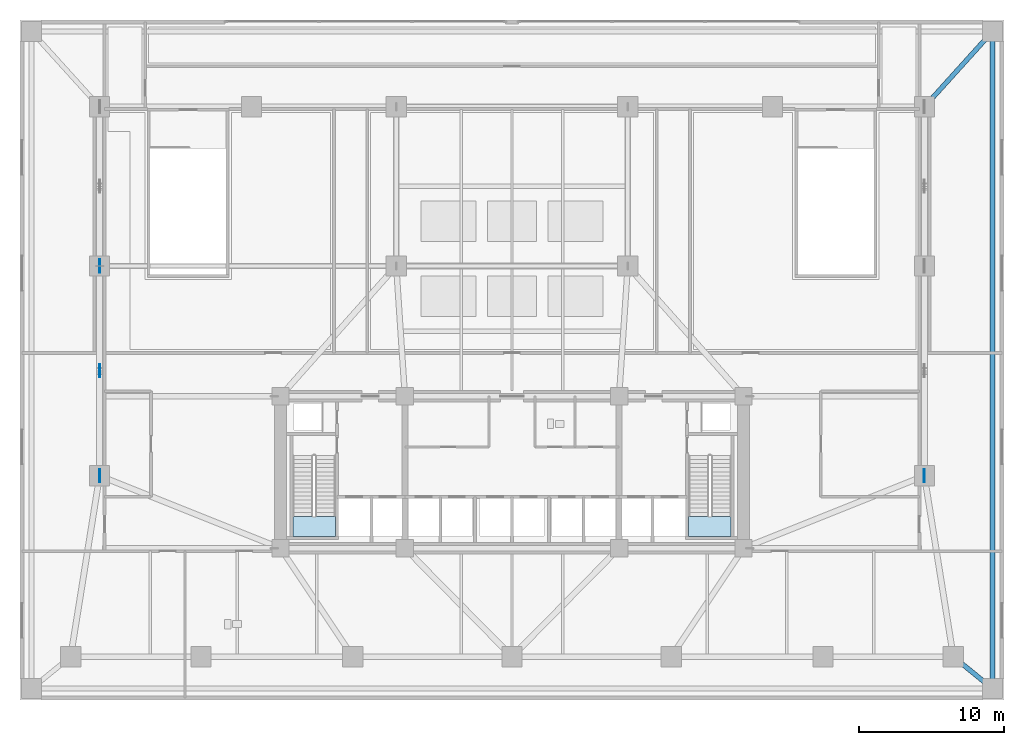
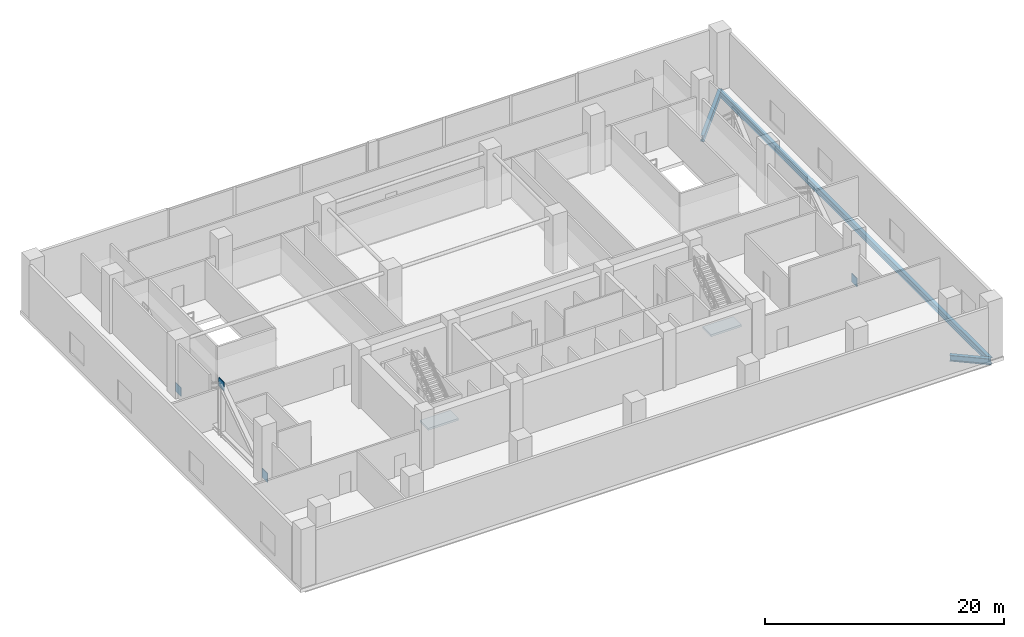
# One storey, part 6 of 16: 4 plates, 3 beams, 2 slabs, 2 elements without a shape of their own.
"""IFC4 building model written with IfcOpenShell, lengths in metres."""

from ifc_helpers import new_model, si_unit, direction, frame, origin, origin_2d, place, context, subcontext, project, spatial, polyline, rectangle, i_section, outline, extrude, material, layer, layer_set, material_profile, profile_set, type_object, element, aggregate, save


model = new_model("IFC4")

# Units and contexts
model_context = context("Model", 3, precision=1e-05, world=origin(), true_north=direction((0.0, 1.0)))
body_context = subcontext(model_context, "Body", "Model", "MODEL_VIEW")
ifc_project = project(units=[si_unit("LENGTHUNIT", "METRE"), si_unit("AREAUNIT", "SQUARE_METRE"), si_unit("VOLUMEUNIT", "CUBIC_METRE"), si_unit("PLANEANGLEUNIT", "RADIAN"), si_unit("MASSUNIT", "GRAM", prefix="KILO")], contexts=[model_context])

# Site, building, storey
site_placement = place(None, origin())
site = spatial("IfcSite", under=ifc_project, at=site_placement, CompositionType="ELEMENT")
building_placement = place(site_placement, origin())
building = spatial("IfcBuilding", under=site, at=building_placement, Name="Solmavex Isthmus Hotel", CompositionType="ELEMENT")
storey_placement = place(building_placement, frame((0.0, 0.0, 20.39990234375)))
storey = spatial("IfcBuildingStorey", under=building, at=storey_placement, Name="L05", CompositionType="ELEMENT", Elevation=20.39990234375)

# Beams
ifc_material_1 = material(Name="Steel ASTM A992 Grade 50", Category="steel")
ifc_material_profile = material_profile(ifc_material_1, i_section(OverallWidth=0.326416015625, OverallDepth=0.621826171875, WebThickness=0.015380859375, FlangeThickness=0.0244140625, FilletRadius=0.01513671875, at=origin_2d()), Name="W24X131")
ifc_profile_set = profile_set([ifc_material_profile], Name="Steel ASTM A992 Grade 50")
beam_type = type_object("IfcBeamType", Name="BM-SP-W24X131", PredefinedType="SPANDREL", material=ifc_profile_set)
beam_1_placement = place(storey_placement, frame((30.5, -20.5, -0.660888671875), z_axis=(0.77523625691, -0.631671390814, 0.0), x_axis=(0.631671390814, 0.77523625691, 0.0)))
element("IfcBeam", 1, at=beam_1_placement, inside=storey, type_object=beam_type, Name="Podium Corner Perimeter Girder L05-CR02", PredefinedType="SPANDREL", context=body_context, shape_type="SweptSolid", body=[
    extrude(i_section(OverallWidth=0.326416015625, OverallDepth=0.621826171875, WebThickness=0.015380859375, FlangeThickness=0.0244140625, FilletRadius=0.01513671875, at=origin_2d()), origin(), (0.0, 0.0, 1.0), 3.482666015625),
])
beam_2_placement = place(storey_placement, frame((33.199951171875, -22.699951171875, -0.660888671875), z_axis=(0.0, 1.0, 0.0), x_axis=(-1.0, 0.0, 0.0)))
element("IfcBeam", 2, at=beam_2_placement, inside=storey, type_object=beam_type, Name="Podium Corner Perimeter Girder L05-CR04", PredefinedType="SPANDREL", context=body_context, shape_type="SweptSolid", body=[
    extrude(i_section(OverallWidth=0.326416015625, OverallDepth=0.621826171875, WebThickness=0.015380859375, FlangeThickness=0.0244140625, FilletRadius=0.01513671875, at=origin_2d()), origin(), (0.0, 0.0, 1.0), 45.39990234375),
])
beam_3_placement = place(storey_placement, frame((28.5, 17.5, -0.660888671875), z_axis=(0.670539300557, 0.741874009795, 0.0), x_axis=(-0.741874009795, 0.670539300557, 0.0)))
element("IfcBeam", 3, at=beam_3_placement, inside=storey, type_object=beam_type, Name="Podium Corner Perimeter Girder L05-CR06", PredefinedType="SPANDREL", context=body_context, shape_type="SweptSolid", body=[
    extrude(i_section(OverallWidth=0.326416015625, OverallDepth=0.621826171875, WebThickness=0.015380859375, FlangeThickness=0.0244140625, FilletRadius=0.01513671875, at=origin_2d()), origin(), (0.0, 0.0, 1.0), 7.00927734375),
])

# Plates
ifc_material_2 = material(Name="Steel ASTM A572 Grade 50", Category="steel")
ifc_layer_1 = layer(ifc_material_2, 0.06005859375)
ifc_layer_set_1 = layer_set([ifc_layer_1], Name="Steel ASTM A572 Grade 50")
plate_type = type_object("IfcPlateType", Name="PLT-GUSSET-60", PredefinedType="USERDEFINED", material=ifc_layer_set_1)
for number, where, z_axis, x_axis, name in (
    (4, (-28.5, -8.0, -0.099853515625), (0.0, 0.0, 1.0), (0.0, 1.0, 0.0), "Ballroom Transfer Truss Node Gusset Plate L05 001"),
    (5, (-28.5, -0.75, 4.800048828125), (0.0, 0.0, 1.0), (0.0, 1.0, 0.0), "Ballroom Transfer Truss Node Gusset Plate L05 002"),
    (6, (-28.5, 6.5, -0.099853515625), (0.0, 0.0, 1.0), (0.0, 1.0, 0.0), "Ballroom Transfer Truss Node Gusset Plate L05 003"),
    (7, (28.5, -8.0, -0.099853515625), (0.0, 0.0, 1.0), (0.0, 1.0, 0.0), "Ballroom Transfer Truss Node Gusset Plate L05 006"),
):
    element("IfcPlate", number, at=place(storey_placement, frame(where, z_axis=z_axis, x_axis=x_axis)), inside=storey, type_object=plate_type, Name=name, ObjectType="GUSSET_PLATE", PredefinedType="USERDEFINED", context=body_context, shape_type="SweptSolid", body=[
        extrude(rectangle(XDim=0.89990234375, YDim=0.06005859375, at=origin_2d()), origin(), (0.0, 0.0, 1.0), 0.89990234375),
    ])

# Stair, slab
ifc_material_3 = material(Name="Concrete C40/50", Category="concrete")
stair_type_1 = type_object("IfcStairType", Name="STR-ST-1", PredefinedType="HALF_TURN_STAIR", material=ifc_material_3)
stair_1_placement = place(storey_placement, origin())
stair_1 = element("IfcStair", 8, at=stair_1_placement, inside=storey, type_object=stair_type_1, Name="L05 Protected Exit Stair ST-1", PredefinedType="HALF_TURN_STAIR")
ifc_layer_2 = layer(ifc_material_3, 0.219970703125)
ifc_layer_set_2 = layer_set([ifc_layer_2], Name="Concrete C40/50")
slab_type_1 = type_object("IfcSlabType", Name="SLD-ST-1", PredefinedType="LANDING", material=ifc_layer_set_2)
slab_1_placement = place(storey_placement, frame((0.0, 0.0, 2.800048828125)))
slab_1 = element("IfcSlab", 9, at=slab_1_placement, type_object=slab_type_1, Name="ST-1 landing 1", PredefinedType="LANDING", context=body_context, shape_type="SweptSolid", body=[
    extrude(outline(polyline([(-15.14990234375, -10.800048828125), (-15.14990234375, -12.199951171875), (-12.199951171875, -12.199951171875), (-12.199951171875, -10.800048828125), (-15.14990234375, -10.800048828125)])), origin(), (0.0, 0.0, 1.0), 0.199951171875),
])
aggregate(stair_1, [slab_1])

stair_type_2 = type_object("IfcStairType", Name="STR-ST-2", PredefinedType="HALF_TURN_STAIR", material=ifc_material_3)
stair_2_placement = place(storey_placement, origin())
stair_2 = element("IfcStair", 10, at=stair_2_placement, inside=storey, type_object=stair_type_2, Name="L05 Protected Exit Stair ST-2", PredefinedType="HALF_TURN_STAIR")
ifc_layer_3 = layer(ifc_material_3, 0.219970703125)
ifc_layer_set_3 = layer_set([ifc_layer_3], Name="Concrete C40/50")
slab_type_2 = type_object("IfcSlabType", Name="SLD-ST-2", PredefinedType="LANDING", material=ifc_layer_set_3)
slab_2_placement = place(storey_placement, frame((0.0, 0.0, 2.800048828125)))
slab_2 = element("IfcSlab", 11, at=slab_2_placement, type_object=slab_type_2, Name="ST-2 landing 1", PredefinedType="LANDING", context=body_context, shape_type="SweptSolid", body=[
    extrude(outline(polyline([(12.199951171875, -10.800048828125), (12.199951171875, -12.199951171875), (15.14990234375, -12.199951171875), (15.14990234375, -10.800048828125), (12.199951171875, -10.800048828125)])), origin(), (0.0, 0.0, 1.0), 0.199951171875),
])
aggregate(stair_2, [slab_2])

save(model, "model.ifc")
